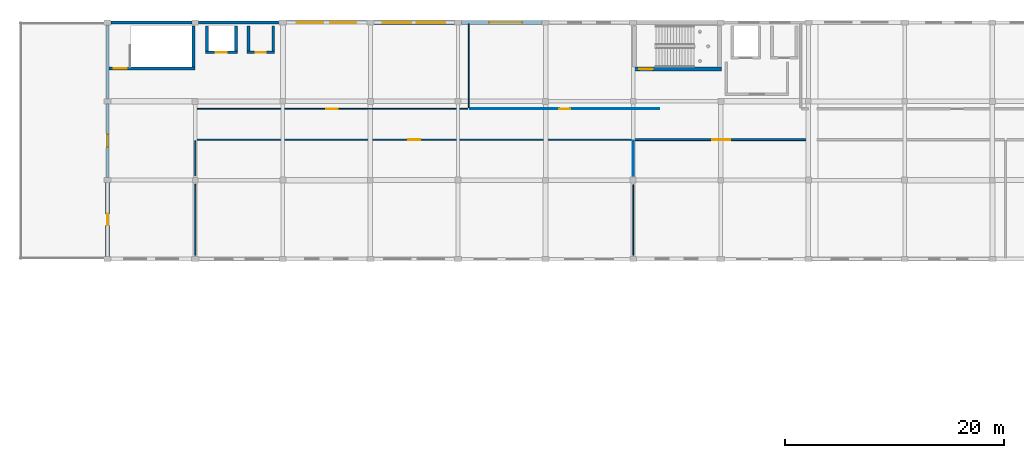
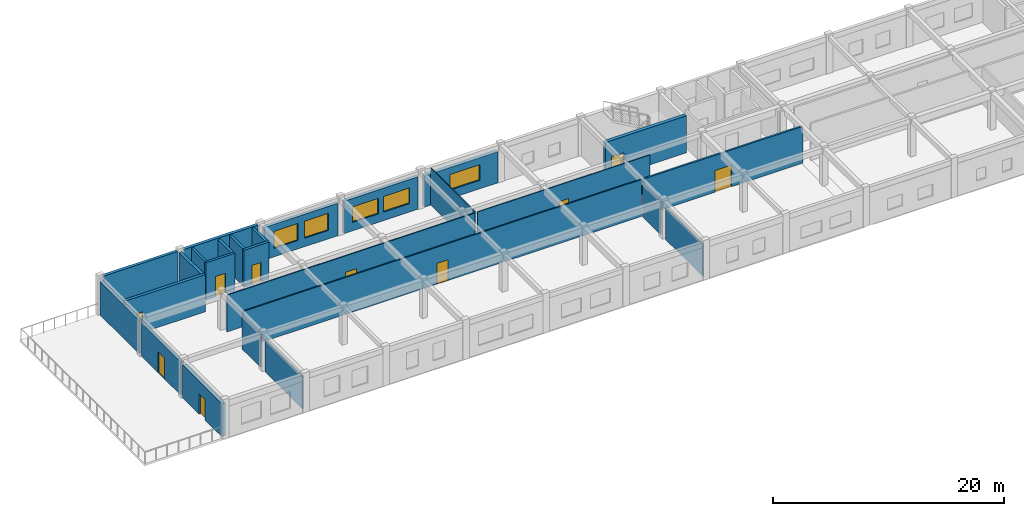
# One storey, part 12 of 19: 26 walls, 10 doors, 5 windows, 15 openings.
"""IFC4 building model written with IfcOpenShell, lengths in metres."""

from ifc_helpers import new_model, si_unit, direction, frame, frame_2d, origin, place, context, subcontext, project, spatial, rectangle, extrude, material, layer, layer_set, type_object, element, fill, save


model = new_model("IFC4")

# Units and contexts
model_context = context("Model", 3, precision=1e-05, world=origin(), true_north=direction((0.0, 1.0)))
body_context = subcontext(model_context, "Body", "Model", "MODEL_VIEW")
ifc_project = project(units=[si_unit("LENGTHUNIT", "METRE"), si_unit("AREAUNIT", "SQUARE_METRE"), si_unit("VOLUMEUNIT", "CUBIC_METRE"), si_unit("PLANEANGLEUNIT", "RADIAN"), si_unit("MASSUNIT", "GRAM", prefix="KILO")], contexts=[model_context])

# Site, building, storey
site_placement = place(None, origin())
site = spatial("IfcSite", under=ifc_project, at=site_placement, CompositionType="ELEMENT")
building_placement = place(site_placement, origin())
building = spatial("IfcBuilding", under=site, at=building_placement, Name="Kharva Crest Polytechnic", CompositionType="ELEMENT")
storey_placement = place(building_placement, frame((0.0, 0.0, 21.60009765625)))
storey = spatial("IfcBuildingStorey", under=building, at=storey_placement, Name="L05", CompositionType="ELEMENT", Elevation=21.60009765625)

# Wall, opening, door
ifc_material_1 = material(Name="Concrete C40/50", Category="concrete")
ifc_layer_1 = layer(ifc_material_1, 0.35009765625, Name="Concrete C40/50")
ifc_layer_set_1 = layer_set([ifc_layer_1], Name="Concrete C40/50")
wall_type_1 = type_object("IfcWallType", Name="WL-CORE-CW1-350", PredefinedType="SHEAR", material=ifc_layer_set_1)
wall_1_placement = place(storey_placement, frame((103.949951171875, 117.764892578125, 0.0), z_axis=(0.0, 0.0, 1.0), x_axis=(1.0, 0.0, 0.0)))
wall_1 = element("IfcWall", 1, at=wall_1_placement, inside=storey, type_object=wall_type_1, Name="L05 North Crest Firefighting Core C4 South Shear Wall", PredefinedType="SHEAR", context=body_context, shape_type="SweptSolid", body=[
    extrude(rectangle(XDim=8.10009765625, YDim=0.35009765625, at=frame_2d((4.050048828125, 0.0))), origin(), (0.0, 0.0, 1.0), 3.919921875),
])
opening_1_placement = place(wall_1_placement, frame((0.60009765625, 0.0, 0.0)))
opening_1 = element("IfcOpeningElement", 2, at=opening_1_placement, cuts=wall_1, Name="Opening FD1B", PredefinedType="OPENING", context=body_context, shape_type="SweptSolid", body=[
    extrude(rectangle(XDim=1.25, YDim=2.199951171875, at=frame_2d((0.625, 1.10009765625))), frame((0.0, 0.18505859375, 0.0), z_axis=(0.0, -1.0, 0.0), x_axis=(1.0, 0.0, 0.0)), (0.0, 0.0, 1.0), 0.3701171875),
])
ifc_material_2 = material(Name="Teak timber", Category="wood")
door_type_1 = type_object("IfcDoorType", Name="DR-STAIR-1250X2200", OperationType="NOTDEFINED", PredefinedType="DOOR", material=ifc_material_2)
door_1_placement = place(opening_1_placement, origin())
door_1 = element("IfcDoor", 3, at=door_1_placement, inside=storey, type_object=door_type_1, Name="L05 ST-04 Stair Door", OperationType="SINGLE_SWING_RIGHT", OverallHeight=2.199951171875, OverallWidth=1.25, PredefinedType="DOOR", context=body_context, shape_type="SweptSolid", body=[
    extrude(rectangle(XDim=1.25, YDim=2.199951171875, at=frame_2d((0.625, 1.10009765625))), frame((0.0, 0.02490234375, 0.0), z_axis=(0.0, -1.0, 0.0), x_axis=(1.0, 0.0, 0.0)), (0.0, 0.0, 1.0), 0.050048828125),
])
fill(opening_1, door_1)

ifc_layer_2 = layer(ifc_material_1, 0.300048828125, Name="Concrete C40/50")
ifc_layer_set_2 = layer_set([ifc_layer_2], Name="Concrete C40/50")
wall_type_2 = type_object("IfcWallType", Name="WL-CORE-CW2-300", PredefinedType="SHEAR", material=ifc_layer_set_2)
wall_2_placement = place(storey_placement, frame((56.0, 117.7900390625, 0.0), z_axis=(0.0, 0.0, 1.0), x_axis=(1.0, 0.0, 0.0)))
wall_2 = element("IfcWall", 4, at=wall_2_placement, inside=storey, type_object=wall_type_2, Name="L05 North-West Lab Core C3 South Shear Wall", PredefinedType="SHEAR", context=body_context, shape_type="SweptSolid", body=[
    extrude(rectangle(XDim=8.0, YDim=0.300048828125, at=frame_2d((4.0, 0.0))), origin(), (0.0, 0.0, 1.0), 3.919921875),
])
opening_2_placement = place(wall_2_placement, frame((0.550048828125, 0.0, 0.0)))
opening_2 = element("IfcOpeningElement", 5, at=opening_2_placement, cuts=wall_2, Name="Opening FD1", PredefinedType="OPENING", context=body_context, shape_type="SweptSolid", body=[
    extrude(rectangle(XDim=1.199951171875, YDim=2.199951171875, at=frame_2d((0.60009765625, 1.10009765625))), frame((0.0, 0.159912109375, 0.0), z_axis=(0.0, -1.0, 0.0), x_axis=(1.0, 0.0, 0.0)), (0.0, 0.0, 1.0), 0.320068359375),
])
door_type_2 = type_object("IfcDoorType", Name="DR-STAIR-1200X2200", OperationType="NOTDEFINED", PredefinedType="DOOR", material=ifc_material_2)
door_2_placement = place(opening_2_placement, origin())
door_2 = element("IfcDoor", 6, at=door_2_placement, inside=storey, type_object=door_type_2, Name="L05 ST-03 Stair Door", OperationType="SINGLE_SWING_LEFT", OverallHeight=2.199951171875, OverallWidth=1.199951171875, PredefinedType="DOOR", context=body_context, shape_type="SweptSolid", body=[
    extrude(rectangle(XDim=1.199951171875, YDim=2.199951171875, at=frame_2d((0.60009765625, 1.10009765625))), frame((0.0, 0.02490234375, 0.0), z_axis=(0.0, -1.0, 0.0), x_axis=(1.0, 0.0, 0.0)), (0.0, 0.0, 1.0), 0.050048828125),
])
fill(opening_2, door_2)

# Wall
wall_3_placement = place(storey_placement, frame((63.85009765625, 117.93994140625, 0.0), z_axis=(0.0, 0.0, 1.0), x_axis=(0.0, 1.0, 0.0)))
element("IfcWall", 7, at=wall_3_placement, inside=storey, type_object=wall_type_2, Name="L05 North-West Lab Core C3 East Shear Wall", PredefinedType="SHEAR", context=body_context, shape_type="SweptSolid", body=[
    extrude(rectangle(XDim=3.760009765625, YDim=0.300048828125, at=frame_2d((1.8798828125, 0.0))), origin(), (0.0, 0.0, 1.0), 3.919921875),
])

# Wall, opening, door
ifc_material_3 = material(Name="Kiln brick masonry", Category="masonry")
ifc_layer_3 = layer(ifc_material_3, 0.260009765625, Name="Kiln brick masonry")
ifc_layer_set_3 = layer_set([ifc_layer_3], Name="Kiln brick masonry")
wall_type_3 = type_object("IfcWallType", Name="WL-EXT-BRK-260", PredefinedType="SOLIDWALL", material=ifc_layer_set_3)
wall_4_placement = place(storey_placement, frame((56.0, 114.580078125, 0.0), z_axis=(0.0, 0.0, 1.0), x_axis=(0.0, -1.0, 0.0)))
wall_4 = element("IfcWall", 8, at=wall_4_placement, inside=storey, type_object=wall_type_3, Name="L05 Exterior Brick Wall 440", PredefinedType="SOLIDWALL", context=body_context, shape_type="SweptSolid", body=[
    extrude(rectangle(XDim=6.760009765625, YDim=0.260009765625, at=frame_2d((3.3798828125, 0.0))), origin(), (0.0, 0.0, 1.0), 3.52001953125),
])
opening_3_placement = place(wall_4_placement, frame((2.804931640625, 0.0, 0.0)))
opening_3 = element("IfcOpeningElement", 9, at=opening_3_placement, cuts=wall_4, Name="Opening ED9", PredefinedType="OPENING", context=body_context, shape_type="SweptSolid", body=[
    extrude(rectangle(XDim=1.14990234375, YDim=2.199951171875, at=frame_2d((0.574951171875, 1.10009765625))), frame((0.0, 0.139892578125, 0.0), z_axis=(0.0, -1.0, 0.0), x_axis=(1.0, 0.0, 0.0)), (0.0, 0.0, 1.0), 0.280029296875),
])
ifc_material_4 = material(Name="Anodised aluminium", Category="aluminium")
door_type_3 = type_object("IfcDoorType", Name="DR-EXT-TER-1150X2200", OperationType="NOTDEFINED", PredefinedType="DOOR", material=ifc_material_4)
door_3_placement = place(opening_3_placement, frame((1.14990234375, 0.0, 0.0), z_axis=(0.0, 0.0, 1.0), x_axis=(-1.0, 0.0, 0.0)))
door_3 = element("IfcDoor", 10, at=door_3_placement, inside=storey, type_object=door_type_3, Name="L05 TER_N_L05 Access Door 54", OperationType="SINGLE_SWING_RIGHT", OverallHeight=2.199951171875, OverallWidth=1.14990234375, PredefinedType="DOOR", context=body_context, shape_type="SweptSolid", body=[
    extrude(rectangle(XDim=1.14990234375, YDim=2.199951171875, at=frame_2d((0.574951171875, 1.10009765625))), frame((0.0, 0.02490234375, 0.0), z_axis=(0.0, -1.0, 0.0), x_axis=(1.0, 0.0, 0.0)), (0.0, 0.0, 1.0), 0.050048828125),
])
fill(opening_3, door_3)

# Walls
ifc_layer_4 = layer(ifc_material_3, 0.27490234375, Name="Kiln brick masonry")
ifc_layer_set_4 = layer_set([ifc_layer_4], Name="Kiln brick masonry")
wall_type_4 = type_object("IfcWallType", Name="WL-EXT-BRK-275", PredefinedType="SOLIDWALL", material=ifc_layer_set_4)
wall_5_placement = place(storey_placement, frame((56.0, 121.780029296875, 0.0), z_axis=(0.0, 0.0, 1.0), x_axis=(0.0, -1.0, 0.0)))
element("IfcWall", 11, at=wall_5_placement, inside=storey, type_object=wall_type_4, Name="L05 Exterior Brick Wall 439", PredefinedType="SOLIDWALL", context=body_context, shape_type="SweptSolid", body=[
    extrude(rectangle(XDim=6.760009765625, YDim=0.27490234375, at=frame_2d((3.3798828125, 0.0))), origin(), (0.0, 0.0, 1.0), 3.539794921875),
])
ifc_layer_5 = layer(ifc_material_3, 0.2900390625, Name="Kiln brick masonry")
ifc_layer_set_5 = layer_set([ifc_layer_5], Name="Kiln brick masonry")
wall_type_5 = type_object("IfcWallType", Name="WL-EXT-BRK-290", PredefinedType="SOLIDWALL", material=ifc_layer_set_5)
wall_6_placement = place(storey_placement, frame((63.695068359375, 122.0, 0.0), z_axis=(0.0, 0.0, 1.0), x_axis=(-1.0, 0.0, 0.0)))
element("IfcWall", 12, at=wall_6_placement, inside=storey, type_object=wall_type_5, Name="L05 Exterior Brick Wall 438", PredefinedType="SOLIDWALL", context=body_context, shape_type="SweptSolid", body=[
    extrude(rectangle(XDim=7.375, YDim=0.2900390625, at=frame_2d((3.6875, 0.0))), origin(), (0.0, 0.0, 1.0), 3.919921875),
])
ifc_layer_6 = layer(ifc_material_3, 0.304931640625, Name="Kiln brick masonry")
ifc_layer_set_6 = layer_set([ifc_layer_6], Name="Kiln brick masonry")
wall_type_6 = type_object("IfcWallType", Name="WL-EXT-BRK-305", PredefinedType="SOLIDWALL", material=ifc_layer_set_6)
wall_7_placement = place(storey_placement, frame((71.679931640625, 122.0, 0.0), z_axis=(0.0, 0.0, 1.0), x_axis=(-1.0, 0.0, 0.0)))
element("IfcWall", 13, at=wall_7_placement, inside=storey, type_object=wall_type_6, Name="L05 Exterior Brick Wall 437", PredefinedType="SOLIDWALL", context=body_context, shape_type="SweptSolid", body=[
    extrude(rectangle(XDim=7.375, YDim=0.304931640625, at=frame_2d((3.6875, 0.0))), origin(), (0.0, 0.0, 1.0), 3.919921875),
])

# Wall, openings, windows
ifc_layer_7 = layer(ifc_material_3, 0.320068359375, Name="Kiln brick masonry")
ifc_layer_set_7 = layer_set([ifc_layer_7], Name="Kiln brick masonry")
wall_type_7 = type_object("IfcWallType", Name="WL-EXT-BRK-320", PredefinedType="SOLIDWALL", material=ifc_layer_set_7)
wall_8_placement = place(storey_placement, frame((79.695068359375, 122.0, 0.0), z_axis=(0.0, 0.0, 1.0), x_axis=(-1.0, 0.0, 0.0)))
wall_8 = element("IfcWall", 14, at=wall_8_placement, inside=storey, type_object=wall_type_7, Name="L05 Exterior Brick Wall 436", PredefinedType="SOLIDWALL", context=body_context, shape_type="SweptSolid", body=[
    extrude(rectangle(XDim=7.375, YDim=0.320068359375, at=frame_2d((3.6875, 0.0))), origin(), (0.0, 0.0, 1.0), 3.429931640625),
])
opening_4_placement = place(wall_8_placement, frame((0.965087890625, 0.0, 0.89990234375)))
opening_4 = element("IfcOpeningElement", 15, at=opening_4_placement, cuts=wall_8, Name="Opening W02", PredefinedType="OPENING", context=body_context, shape_type="SweptSolid", body=[
    extrude(rectangle(XDim=2.39990234375, YDim=1.800048828125, at=frame_2d((1.199951171875, 0.89990234375))), frame((0.0, 0.169921875, 0.0), z_axis=(0.0, -1.0, 0.0), x_axis=(1.0, 0.0, 0.0)), (0.0, 0.0, 1.0), 0.340087890625),
])
opening_5_placement = place(wall_8_placement, frame((4.010009765625, 0.0, 0.89990234375)))
opening_5 = element("IfcOpeningElement", 16, at=opening_5_placement, cuts=wall_8, Name="Opening W02", PredefinedType="OPENING", context=body_context, shape_type="SweptSolid", body=[
    extrude(rectangle(XDim=2.39990234375, YDim=1.800048828125, at=frame_2d((1.199951171875, 0.89990234375))), frame((0.0, 0.169921875, 0.0), z_axis=(0.0, -1.0, 0.0), x_axis=(1.0, 0.0, 0.0)), (0.0, 0.0, 1.0), 0.340087890625),
])
window_type_1 = type_object("IfcWindowType", Name="WIN-ALU-2400X1800", PartitioningType="SINGLE_PANEL", PredefinedType="WINDOW", material=ifc_material_4)
window_1_placement = place(opening_4_placement, origin())
window_1 = element("IfcWindow", 17, at=window_1_placement, inside=storey, type_object=window_type_1, Name="L05 Exterior Window 620", OverallHeight=1.800048828125, OverallWidth=2.39990234375, PartitioningType="SINGLE_PANEL", PredefinedType="WINDOW", context=body_context, shape_type="SweptSolid", body=[
    extrude(rectangle(XDim=2.39990234375, YDim=1.800048828125, at=frame_2d((1.199951171875, 0.89990234375))), frame((0.0, 0.030029296875, 0.0), z_axis=(0.0, -1.0, 0.0), x_axis=(1.0, 0.0, 0.0)), (0.0, 0.0, 1.0), 0.06005859375),
])
fill(opening_4, window_1)
window_2_placement = place(opening_5_placement, origin())
window_2 = element("IfcWindow", 18, at=window_2_placement, inside=storey, type_object=window_type_1, Name="L05 Exterior Window 621", OverallHeight=1.800048828125, OverallWidth=2.39990234375, PartitioningType="SINGLE_PANEL", PredefinedType="WINDOW", context=body_context, shape_type="SweptSolid", body=[
    extrude(rectangle(XDim=2.39990234375, YDim=1.800048828125, at=frame_2d((1.199951171875, 0.89990234375))), frame((0.0, 0.030029296875, 0.0), z_axis=(0.0, -1.0, 0.0), x_axis=(1.0, 0.0, 0.0)), (0.0, 0.0, 1.0), 0.06005859375),
])
fill(opening_5, window_2)

ifc_layer_8 = layer(ifc_material_3, 0.3349609375, Name="Kiln brick masonry")
ifc_layer_set_8 = layer_set([ifc_layer_8], Name="Kiln brick masonry")
wall_type_8 = type_object("IfcWallType", Name="WL-EXT-BRK-335", PredefinedType="SOLIDWALL", material=ifc_layer_set_8)
wall_9_placement = place(storey_placement, frame((87.679931640625, 122.0, 0.0), z_axis=(0.0, 0.0, 1.0), x_axis=(-1.0, 0.0, 0.0)))
wall_9 = element("IfcWall", 19, at=wall_9_placement, inside=storey, type_object=wall_type_8, Name="L05 Exterior Brick Wall 435", PredefinedType="SOLIDWALL", context=body_context, shape_type="SweptSolid", body=[
    extrude(rectangle(XDim=7.375, YDim=0.3349609375, at=frame_2d((3.6875, 0.0))), origin(), (0.0, 0.0, 1.0), 3.429931640625),
])
opening_6_placement = place(wall_9_placement, frame((0.83203125, 0.0, 0.89990234375)))
opening_6 = element("IfcOpeningElement", 20, at=opening_6_placement, cuts=wall_9, Name="Opening W24", PredefinedType="OPENING", context=body_context, shape_type="SweptSolid", body=[
    extrude(rectangle(XDim=2.60009765625, YDim=1.64990234375, at=frame_2d((1.300048828125, 0.824951171875))), frame((0.0, 0.177490234375, 0.0), z_axis=(0.0, -1.0, 0.0), x_axis=(1.0, 0.0, 0.0)), (0.0, 0.0, 1.0), 0.35498046875),
])
opening_7_placement = place(wall_9_placement, frame((3.943115234375, 0.0, 0.89990234375)))
opening_7 = element("IfcOpeningElement", 21, at=opening_7_placement, cuts=wall_9, Name="Opening W24", PredefinedType="OPENING", context=body_context, shape_type="SweptSolid", body=[
    extrude(rectangle(XDim=2.60009765625, YDim=1.64990234375, at=frame_2d((1.300048828125, 0.824951171875))), frame((0.0, 0.177490234375, 0.0), z_axis=(0.0, -1.0, 0.0), x_axis=(1.0, 0.0, 0.0)), (0.0, 0.0, 1.0), 0.35498046875),
])
window_type_2 = type_object("IfcWindowType", Name="WIN-ALU-2600X1650", PartitioningType="SINGLE_PANEL", PredefinedType="WINDOW", material=ifc_material_4)
window_3_placement = place(opening_6_placement, origin())
window_3 = element("IfcWindow", 22, at=window_3_placement, inside=storey, type_object=window_type_2, Name="L05 Exterior Window 618", OverallHeight=1.64990234375, OverallWidth=2.60009765625, PartitioningType="SINGLE_PANEL", PredefinedType="WINDOW", context=body_context, shape_type="SweptSolid", body=[
    extrude(rectangle(XDim=2.60009765625, YDim=1.64990234375, at=frame_2d((1.300048828125, 0.824951171875))), frame((0.0, 0.030029296875, 0.0), z_axis=(0.0, -1.0, 0.0), x_axis=(1.0, 0.0, 0.0)), (0.0, 0.0, 1.0), 0.06005859375),
])
fill(opening_6, window_3)
window_4_placement = place(opening_7_placement, origin())
window_4 = element("IfcWindow", 23, at=window_4_placement, inside=storey, type_object=window_type_2, Name="L05 Exterior Window 619", OverallHeight=1.64990234375, OverallWidth=2.60009765625, PartitioningType="SINGLE_PANEL", PredefinedType="WINDOW", context=body_context, shape_type="SweptSolid", body=[
    extrude(rectangle(XDim=2.60009765625, YDim=1.64990234375, at=frame_2d((1.300048828125, 0.824951171875))), frame((0.0, 0.030029296875, 0.0), z_axis=(0.0, -1.0, 0.0), x_axis=(1.0, 0.0, 0.0)), (0.0, 0.0, 1.0), 0.06005859375),
])
fill(opening_7, window_4)

# Wall, opening, window
ifc_layer_9 = layer(ifc_material_3, 0.35009765625, Name="Kiln brick masonry")
ifc_layer_set_9 = layer_set([ifc_layer_9], Name="Kiln brick masonry")
wall_type_9 = type_object("IfcWallType", Name="WL-EXT-BRK-350", PredefinedType="SOLIDWALL", material=ifc_layer_set_9)
wall_10_placement = place(storey_placement, frame((95.695068359375, 122.0, 0.0), z_axis=(0.0, 0.0, 1.0), x_axis=(-1.0, 0.0, 0.0)))
wall_10 = element("IfcWall", 24, at=wall_10_placement, inside=storey, type_object=wall_type_9, Name="L05 Exterior Brick Wall 434", PredefinedType="SOLIDWALL", context=body_context, shape_type="SweptSolid", body=[
    extrude(rectangle(XDim=7.375, YDim=0.35009765625, at=frame_2d((3.6875, 0.0))), origin(), (0.0, 0.0, 1.0), 3.2998046875),
])
opening_8_placement = place(wall_10_placement, frame((1.842041015625, 0.0, 0.89990234375)))
opening_8 = element("IfcOpeningElement", 25, at=opening_8_placement, cuts=wall_10, Name="Opening W23", PredefinedType="OPENING", context=body_context, shape_type="SweptSolid", body=[
    extrude(rectangle(XDim=3.0, YDim=1.64990234375, at=frame_2d((1.5, 0.824951171875))), frame((0.0, 0.18505859375, 0.0), z_axis=(0.0, -1.0, 0.0), x_axis=(1.0, 0.0, 0.0)), (0.0, 0.0, 1.0), 0.3701171875),
])
window_type_3 = type_object("IfcWindowType", Name="WIN-ALU-3000X1650", PartitioningType="SINGLE_PANEL", PredefinedType="WINDOW", material=ifc_material_4)
window_5_placement = place(opening_8_placement, origin())
window_5 = element("IfcWindow", 26, at=window_5_placement, inside=storey, type_object=window_type_3, Name="L05 Exterior Window 617", OverallHeight=1.64990234375, OverallWidth=3.0, PartitioningType="SINGLE_PANEL", PredefinedType="WINDOW", context=body_context, shape_type="SweptSolid", body=[
    extrude(rectangle(XDim=3.0, YDim=1.64990234375, at=frame_2d((1.5, 0.824951171875))), frame((0.0, 0.030029296875, 0.0), z_axis=(0.0, -1.0, 0.0), x_axis=(1.0, 0.0, 0.0)), (0.0, 0.0, 1.0), 0.06005859375),
])
fill(opening_8, window_5)

# Wall, opening, door
ifc_layer_10 = layer(ifc_material_3, 0.3798828125, Name="Kiln brick masonry")
ifc_layer_set_10 = layer_set([ifc_layer_10], Name="Kiln brick masonry")
wall_type_10 = type_object("IfcWallType", Name="WL-EXT-BRK-380", PredefinedType="SOLIDWALL", material=ifc_layer_set_10)
wall_11_placement = place(storey_placement, frame((56.0, 107.3798828125, 0.0), z_axis=(0.0, 0.0, 1.0), x_axis=(0.0, -1.0, 0.0)))
wall_11 = element("IfcWall", 27, at=wall_11_placement, inside=storey, type_object=wall_type_10, Name="L05 Exterior Brick Wall 441", PredefinedType="SOLIDWALL", context=body_context, shape_type="SweptSolid", body=[
    extrude(rectangle(XDim=6.759765625, YDim=0.3798828125, at=frame_2d((3.3798828125, 0.0))), origin(), (0.0, 0.0, 1.0), 3.4599609375),
])
opening_9_placement = place(wall_11_placement, frame((2.85498046875, 0.0, 0.0)))
opening_9 = element("IfcOpeningElement", 28, at=opening_9_placement, cuts=wall_11, Name="Opening ED10", PredefinedType="OPENING", context=body_context, shape_type="SweptSolid", body=[
    extrude(rectangle(XDim=1.050048828125, YDim=2.14990234375, at=frame_2d((0.52490234375, 1.074951171875))), frame((0.0, 0.199951171875, 0.0), z_axis=(0.0, -1.0, 0.0), x_axis=(1.0, 0.0, 0.0)), (0.0, 0.0, 1.0), 0.39990234375),
])
door_type_4 = type_object("IfcDoorType", Name="DR-EXT-TER-1050X2150", OperationType="NOTDEFINED", PredefinedType="DOOR", material=ifc_material_4)
door_4_placement = place(opening_9_placement, frame((1.050048828125, 0.0, 0.0), z_axis=(0.0, 0.0, 1.0), x_axis=(-1.0, 0.0, 0.0)))
door_4 = element("IfcDoor", 29, at=door_4_placement, inside=storey, type_object=door_type_4, Name="L05 TER_N_L05 Access Door 55", OperationType="SINGLE_SWING_LEFT", OverallHeight=2.14990234375, OverallWidth=1.050048828125, PredefinedType="DOOR", context=body_context, shape_type="SweptSolid", body=[
    extrude(rectangle(XDim=1.050048828125, YDim=2.14990234375, at=frame_2d((0.52490234375, 1.074951171875))), frame((0.0, 0.02490234375, 0.0), z_axis=(0.0, -1.0, 0.0), x_axis=(1.0, 0.0, 0.0)), (0.0, 0.0, 1.0), 0.050048828125),
])
fill(opening_9, door_4)

# Wall
ifc_layer_11 = layer(ifc_material_3, 0.090087890625, Name="Kiln brick masonry")
ifc_layer_set_11 = layer_set([ifc_layer_11], Name="Kiln brick masonry")
wall_type_11 = type_object("IfcWallType", Name="WL-PART-090", PredefinedType="PARTITIONING", material=ifc_layer_set_11)
wall_12_placement = place(storey_placement, frame((104.0, 108.0048828125, 0.0), z_axis=(0.0, 0.0, 1.0), x_axis=(0.0, 1.0, 0.0)))
element("IfcWall", 30, at=wall_12_placement, inside=storey, type_object=wall_type_11, Name="L05 Interior Partition 369", PredefinedType="PARTITIONING", context=body_context, shape_type="SweptSolid", body=[
    extrude(rectangle(XDim=3.175048828125, YDim=0.090087890625, at=frame_2d((1.58740234375, 0.0))), origin(), (0.0, 0.0, 1.0), 3.4599609375),
])

# Wall, opening, door
wall_13_placement = place(storey_placement, frame((89.1201171875, 114.110107421875, 0.0), z_axis=(0.0, 0.0, 1.0), x_axis=(1.0, 0.0, 0.0)))
wall_13 = element("IfcWall", 31, at=wall_13_placement, inside=storey, type_object=wall_type_11, Name="L05 Interior Partition 379", PredefinedType="PARTITIONING", context=body_context, shape_type="SweptSolid", body=[
    extrude(rectangle(XDim=17.259765625, YDim=0.090087890625, at=frame_2d((8.6298828125, 0.0))), origin(), (0.0, 0.0, 1.0), 3.89990234375),
])
opening_10_placement = place(wall_13_placement, frame((8.14990234375, 0.0, 0.0)))
opening_10 = element("IfcOpeningElement", 32, at=opening_10_placement, cuts=wall_13, Name="Opening ID13", PredefinedType="OPENING", context=body_context, shape_type="SweptSolid", body=[
    extrude(rectangle(XDim=0.9599609375, YDim=2.14990234375, at=frame_2d((0.47998046875, 1.074951171875))), frame((0.0, 0.054931640625, 0.0), z_axis=(0.0, -1.0, 0.0), x_axis=(1.0, 0.0, 0.0)), (0.0, 0.0, 1.0), 0.110107421875),
])
door_type_5 = type_object("IfcDoorType", Name="DR-OFF-960X2150", OperationType="NOTDEFINED", PredefinedType="DOOR", material=ifc_material_2)
door_5_placement = place(opening_10_placement, origin())
door_5 = element("IfcDoor", 33, at=door_5_placement, inside=storey, type_object=door_type_5, Name="L05 Faculty Office L05-A Door", OperationType="SINGLE_SWING_LEFT", OverallHeight=2.14990234375, OverallWidth=0.9599609375, PredefinedType="DOOR", context=body_context, shape_type="SweptSolid", body=[
    extrude(rectangle(XDim=0.9599609375, YDim=2.14990234375, at=frame_2d((0.47998046875, 1.074951171875))), frame((0.0, 0.02490234375, 0.0), z_axis=(0.0, -1.0, 0.0), x_axis=(1.0, 0.0, 0.0)), (0.0, 0.0, 1.0), 0.050048828125),
])
fill(opening_10, door_5)

# Walls
ifc_layer_12 = layer(ifc_material_3, 0.10009765625, Name="Kiln brick masonry")
ifc_layer_set_12 = layer_set([ifc_layer_12], Name="Kiln brick masonry")
wall_type_12 = type_object("IfcWallType", Name="WL-PART-100", PredefinedType="PARTITIONING", material=ifc_layer_set_12)
wall_14_placement = place(storey_placement, frame((104.0, 100.7548828125, 0.0), z_axis=(0.0, 0.0, 1.0), x_axis=(0.0, 1.0, 0.0)))
element("IfcWall", 34, at=wall_14_placement, inside=storey, type_object=wall_type_12, Name="L05 Interior Partition 368", PredefinedType="PARTITIONING", context=body_context, shape_type="SweptSolid", body=[
    extrude(rectangle(XDim=6.440185546875, YDim=0.10009765625, at=frame_2d((3.22021484375, 0.0))), origin(), (0.0, 0.0, 1.0), 3.39990234375),
])
wall_15_placement = place(storey_placement, frame((89.0, 114.219970703125, 0.0), z_axis=(0.0, 0.0, 1.0), x_axis=(0.0, 1.0, 0.0)))
element("IfcWall", 35, at=wall_15_placement, inside=storey, type_object=wall_type_12, Name="L05 Interior Partition 378", PredefinedType="PARTITIONING", context=body_context, shape_type="SweptSolid", body=[
    extrude(rectangle(XDim=7.669921875, YDim=0.10009765625, at=frame_2d((3.8349609375, 0.0))), origin(), (0.0, 0.0, 1.0), 3.89990234375),
])
ifc_layer_13 = layer(ifc_material_3, 0.110107421875, Name="Kiln brick masonry")
ifc_layer_set_13 = layer_set([ifc_layer_13], Name="Kiln brick masonry")
wall_type_13 = type_object("IfcWallType", Name="WL-PART-110", PredefinedType="PARTITIONING", material=ifc_layer_set_13)
wall_16_placement = place(storey_placement, frame((64.0, 107.989990234375, 0.0), z_axis=(0.0, 0.0, 1.0), x_axis=(0.0, 1.0, 0.0)))
element("IfcWall", 36, at=wall_16_placement, inside=storey, type_object=wall_type_13, Name="L05 Interior Partition 367", PredefinedType="PARTITIONING", context=body_context, shape_type="SweptSolid", body=[
    extrude(rectangle(XDim=3.18994140625, YDim=0.110107421875, at=frame_2d((1.594970703125, 0.0))), origin(), (0.0, 0.0, 1.0), 3.4599609375),
])

# Wall, opening, door
wall_17_placement = place(storey_placement, frame((64.110107421875, 114.110107421875, 0.0), z_axis=(0.0, 0.0, 1.0), x_axis=(1.0, 0.0, 0.0)))
wall_17 = element("IfcWall", 37, at=wall_17_placement, inside=storey, type_object=wall_type_13, Name="L05 Interior Partition 377", PredefinedType="PARTITIONING", context=body_context, shape_type="SweptSolid", body=[
    extrude(rectangle(XDim=24.77978515625, YDim=0.110107421875, at=frame_2d((12.389892578125, 0.0))), origin(), (0.0, 0.0, 1.0), 3.89990234375),
])
opening_11_placement = place(wall_17_placement, frame((11.85009765625, 0.0, 0.0)))
opening_11 = element("IfcOpeningElement", 38, at=opening_11_placement, cuts=wall_17, Name="Opening ID10", PredefinedType="OPENING", context=body_context, shape_type="SweptSolid", body=[
    extrude(rectangle(XDim=1.080078125, YDim=2.14990234375, at=frame_2d((0.5400390625, 1.074951171875))), frame((0.0, 0.06494140625, 0.0), z_axis=(0.0, -1.0, 0.0), x_axis=(1.0, 0.0, 0.0)), (0.0, 0.0, 1.0), 0.130126953125),
])
door_type_6 = type_object("IfcDoorType", Name="DR-CLS-1080X2150", OperationType="NOTDEFINED", PredefinedType="DOOR", material=ifc_material_2)
door_6_placement = place(opening_11_placement, origin())
door_6 = element("IfcDoor", 39, at=door_6_placement, inside=storey, type_object=door_type_6, Name="L05 Critique Seminar Room L05-A Door", OperationType="SINGLE_SWING_RIGHT", OverallHeight=2.14990234375, OverallWidth=1.080078125, PredefinedType="DOOR", context=body_context, shape_type="SweptSolid", body=[
    extrude(rectangle(XDim=1.080078125, YDim=2.14990234375, at=frame_2d((0.5400390625, 1.074951171875))), frame((0.0, 0.02490234375, 0.0), z_axis=(0.0, -1.0, 0.0), x_axis=(1.0, 0.0, 0.0)), (0.0, 0.0, 1.0), 0.050048828125),
])
fill(opening_11, door_6)

# Wall
ifc_layer_14 = layer(ifc_material_3, 0.1201171875, Name="Kiln brick masonry")
ifc_layer_set_14 = layer_set([ifc_layer_14], Name="Kiln brick masonry")
wall_type_14 = type_object("IfcWallType", Name="WL-PART-120", PredefinedType="PARTITIONING", material=ifc_layer_set_14)
wall_18_placement = place(storey_placement, frame((64.0, 100.7548828125, 0.0), z_axis=(0.0, 0.0, 1.0), x_axis=(0.0, 1.0, 0.0)))
element("IfcWall", 40, at=wall_18_placement, inside=storey, type_object=wall_type_14, Name="L05 Interior Partition 366", PredefinedType="PARTITIONING", context=body_context, shape_type="SweptSolid", body=[
    extrude(rectangle(XDim=6.455078125, YDim=0.1201171875, at=frame_2d((3.2275390625, 0.0))), origin(), (0.0, 0.0, 1.0), 3.39990234375),
])

# Wall, opening, door
ifc_layer_15 = layer(ifc_material_3, 0.1298828125, Name="Kiln brick masonry")
ifc_layer_set_15 = layer_set([ifc_layer_15], Name="Kiln brick masonry")
wall_type_15 = type_object("IfcWallType", Name="WL-PART-130", PredefinedType="PARTITIONING", material=ifc_layer_set_15)
wall_19_placement = place(storey_placement, frame((64.110107421875, 111.2900390625, 0.0), z_axis=(0.0, 0.0, 1.0), x_axis=(1.0, 0.0, 0.0)))
wall_19 = element("IfcWall", 41, at=wall_19_placement, inside=storey, type_object=wall_type_15, Name="L05 Interior Partition 365", PredefinedType="PARTITIONING", context=body_context, shape_type="SweptSolid", body=[
    extrude(rectangle(XDim=39.77978515625, YDim=0.1298828125, at=frame_2d((19.889892578125, 0.0))), origin(), (0.0, 0.0, 1.0), 3.89990234375),
])
opening_12_placement = place(wall_19_placement, frame((19.330078125, 0.0, 0.0)))
opening_12 = element("IfcOpeningElement", 42, at=opening_12_placement, cuts=wall_19, Name="Opening ID9", PredefinedType="OPENING", context=body_context, shape_type="SweptSolid", body=[
    extrude(rectangle(XDim=1.1201171875, YDim=2.199951171875, at=frame_2d((0.56005859375, 1.10009765625))), frame((0.0, 0.074951171875, 0.0), z_axis=(0.0, -1.0, 0.0), x_axis=(1.0, 0.0, 0.0)), (0.0, 0.0, 1.0), 0.14990234375),
])
door_type_7 = type_object("IfcDoorType", Name="DR-STD-1120X2200", OperationType="NOTDEFINED", PredefinedType="DOOR", material=ifc_material_2)
door_7_placement = place(opening_12_placement, origin())
door_7 = element("IfcDoor", 43, at=door_7_placement, inside=storey, type_object=door_type_7, Name="L05 Fine Arts and Sculpture Design Studio Door", OperationType="SINGLE_SWING_RIGHT", OverallHeight=2.199951171875, OverallWidth=1.1201171875, PredefinedType="DOOR", context=body_context, shape_type="SweptSolid", body=[
    extrude(rectangle(XDim=1.1201171875, YDim=2.199951171875, at=frame_2d((0.56005859375, 1.10009765625))), frame((0.0, 0.02490234375, 0.0), z_axis=(0.0, -1.0, 0.0), x_axis=(1.0, 0.0, 0.0)), (0.0, 0.0, 1.0), 0.050048828125),
])
fill(opening_12, door_7)

ifc_layer_16 = layer(ifc_material_3, 0.179931640625, Name="Kiln brick masonry")
ifc_layer_set_16 = layer_set([ifc_layer_16], Name="Kiln brick masonry")
wall_type_16 = type_object("IfcWallType", Name="WL-PART-180", PredefinedType="PARTITIONING", material=ifc_layer_set_16)
wall_20_placement = place(storey_placement, frame((104.1201171875, 111.2900390625, 0.0), z_axis=(0.0, 0.0, 1.0), x_axis=(1.0, 0.0, 0.0)))
wall_20 = element("IfcWall", 44, at=wall_20_placement, inside=storey, type_object=wall_type_16, Name="L05 Interior Partition 370 W", PredefinedType="PARTITIONING", context=body_context, shape_type="SweptSolid", body=[
    extrude(rectangle(XDim=15.8798828125, YDim=0.179931640625, at=frame_2d((7.93994140625, 0.0))), origin(), (0.0, 0.0, 1.0), 3.89990234375),
])
opening_13_placement = place(wall_20_placement, frame((7.114990234375, 0.0, 0.0)))
opening_13 = element("IfcOpeningElement", 45, at=opening_13_placement, cuts=wall_20, Name="Opening ID3", PredefinedType="OPENING", context=body_context, shape_type="SweptSolid", body=[
    extrude(rectangle(XDim=1.64990234375, YDim=2.300048828125, at=frame_2d((0.824951171875, 1.14990234375))), frame((0.0, 0.099853515625, 0.0), z_axis=(0.0, -1.0, 0.0), x_axis=(1.0, 0.0, 0.0)), (0.0, 0.0, 1.0), 0.199951171875),
])
door_type_8 = type_object("IfcDoorType", Name="DR-WKSHP-DBL-1650X2300", OperationType="NOTDEFINED", PredefinedType="DOOR", material=ifc_material_2)
door_8_placement = place(opening_13_placement, origin())
door_8 = element("IfcDoor", 46, at=door_8_placement, inside=storey, type_object=door_type_8, Name="L05 Architectural Modelmaking Workshop Door", OperationType="DOUBLE_DOOR_SINGLE_SWING", OverallHeight=2.300048828125, OverallWidth=1.64990234375, PredefinedType="DOOR", context=body_context, shape_type="SweptSolid", body=[
    extrude(rectangle(XDim=1.64990234375, YDim=2.300048828125, at=frame_2d((0.824951171875, 1.14990234375))), frame((0.0, 0.02490234375, 0.0), z_axis=(0.0, -1.0, 0.0), x_axis=(1.0, 0.0, 0.0)), (0.0, 0.0, 1.0), 0.050048828125),
])
fill(opening_13, door_8)

ifc_layer_17 = layer(ifc_material_1, 0.25, Name="Concrete C40/50")
ifc_layer_set_17 = layer_set([ifc_layer_17], Name="Concrete C40/50")
wall_type_17 = type_object("IfcWallType", Name="WL-SHEAR-SW1-250", PredefinedType="SHEAR", material=ifc_layer_set_17)
wall_21_placement = place(storey_placement, frame((64.949951171875, 119.27490234375, 0.0), z_axis=(0.0, 0.0, 1.0), x_axis=(1.0, 0.0, 0.0)))
wall_21 = element("IfcWall", 47, at=wall_21_placement, inside=storey, type_object=wall_type_17, Name="L05 Lift PL3 South Shaft Wall", PredefinedType="SHEAR", context=body_context, shape_type="SweptSolid", body=[
    extrude(rectangle(XDim=2.900146484375, YDim=0.25, at=frame_2d((1.4501953125, 0.0))), origin(), (0.0, 0.0, 1.0), 3.919921875),
])
opening_14_placement = place(wall_21_placement, frame((0.949951171875, 0.0, 0.0)))
opening_14 = element("IfcOpeningElement", 48, at=opening_14_placement, cuts=wall_21, Name="Opening LD2", PredefinedType="OPENING", context=body_context, shape_type="SweptSolid", body=[
    extrude(rectangle(XDim=1.0, YDim=2.14990234375, at=frame_2d((0.5, 1.074951171875))), frame((0.0, 0.135009765625, 0.0), z_axis=(0.0, -1.0, 0.0), x_axis=(1.0, 0.0, 0.0)), (0.0, 0.0, 1.0), 0.27001953125),
])
door_type_9 = type_object("IfcDoorType", Name="DR-LIFT-LD2-1000X2150", OperationType="SLIDING_TO_LEFT", PredefinedType="DOOR", material=ifc_material_4)
door_9_placement = place(opening_14_placement, origin())
door_9 = element("IfcDoor", 49, at=door_9_placement, inside=storey, type_object=door_type_9, Name="L05 Lift PL3 Sliding Landing Door", OperationType="SLIDING_TO_LEFT", OverallHeight=2.14990234375, OverallWidth=1.0, PredefinedType="DOOR", context=body_context, shape_type="SweptSolid", body=[
    extrude(rectangle(XDim=1.0, YDim=2.14990234375, at=frame_2d((0.5, 1.074951171875))), frame((0.0, 0.02490234375, 0.0), z_axis=(0.0, -1.0, 0.0), x_axis=(1.0, 0.0, 0.0)), (0.0, 0.0, 1.0), 0.050048828125),
])
fill(opening_14, door_9)

# Walls
for number, where, z_axis, x_axis, name in (
    (50, (65.074951171875, 119.39990234375, 0.0), (0.0, 0.0, 1.0), (0.0, 1.0, 0.0), "L05 Lift PL3 West Shaft Wall"),
    (51, (67.72509765625, 119.39990234375, 0.0), (0.0, 0.0, 1.0), (0.0, 1.0, 0.0), "L05 Lift PL3 East Shaft Wall"),
):
    element("IfcWall", number, at=place(storey_placement, frame(where, z_axis=z_axis, x_axis=x_axis)), inside=storey, type_object=wall_type_17, Name=name, PredefinedType="SHEAR", context=body_context, shape_type="SweptSolid", body=[
        extrude(rectangle(XDim=2.300048828125, YDim=0.25, at=frame_2d((1.14990234375, 0.0))), origin(), (0.0, 0.0, 1.0), 3.919921875),
    ])

# Wall, opening, door
wall_22_placement = place(storey_placement, frame((68.75, 119.27490234375, 0.0), z_axis=(0.0, 0.0, 1.0), x_axis=(1.0, 0.0, 0.0)))
wall_22 = element("IfcWall", 52, at=wall_22_placement, inside=storey, type_object=wall_type_17, Name="L05 Core C3 Riser South Wall", PredefinedType="SHEAR", context=body_context, shape_type="SweptSolid", body=[
    extrude(rectangle(XDim=2.5, YDim=0.25, at=frame_2d((1.25, 0.0))), origin(), (0.0, 0.0, 1.0), 3.919921875),
])
opening_15_placement = place(wall_22_placement, frame((0.800048828125, 0.0, 0.0)))
opening_15 = element("IfcOpeningElement", 53, at=opening_15_placement, cuts=wall_22, Name="Opening FD3", PredefinedType="OPENING", context=body_context, shape_type="SweptSolid", body=[
    extrude(rectangle(XDim=0.89990234375, YDim=2.050048828125, at=frame_2d((0.449951171875, 1.02490234375))), frame((0.0, 0.135009765625, 0.0), z_axis=(0.0, -1.0, 0.0), x_axis=(1.0, 0.0, 0.0)), (0.0, 0.0, 1.0), 0.27001953125),
])
door_type_10 = type_object("IfcDoorType", Name="DR-RISER-900X2050", OperationType="NOTDEFINED", PredefinedType="DOOR", material=ifc_material_4)
door_10_placement = place(opening_15_placement, origin())
door_10 = element("IfcDoor", 54, at=door_10_placement, inside=storey, type_object=door_type_10, Name="L05 Core C3 Riser Access Door", OperationType="SINGLE_SWING_RIGHT", OverallHeight=2.050048828125, OverallWidth=0.89990234375, PredefinedType="DOOR", context=body_context, shape_type="SweptSolid", body=[
    extrude(rectangle(XDim=0.89990234375, YDim=2.050048828125, at=frame_2d((0.449951171875, 1.02490234375))), frame((0.0, 0.02490234375, 0.0), z_axis=(0.0, -1.0, 0.0), x_axis=(1.0, 0.0, 0.0)), (0.0, 0.0, 1.0), 0.050048828125),
])
fill(opening_15, door_10)

# Walls
for number, where, z_axis, x_axis, name in (
    (55, (68.875, 119.39990234375, 0.0), (0.0, 0.0, 1.0), (0.0, 1.0, 0.0), "L05 Core C3 Riser West Wall"),
    (56, (71.125, 119.39990234375, 0.0), (0.0, 0.0, 1.0), (0.0, 1.0, 0.0), "L05 Core C3 Riser East Wall"),
):
    element("IfcWall", number, at=place(storey_placement, frame(where, z_axis=z_axis, x_axis=x_axis)), inside=storey, type_object=wall_type_17, Name=name, PredefinedType="SHEAR", context=body_context, shape_type="SweptSolid", body=[
        extrude(rectangle(XDim=2.300048828125, YDim=0.25, at=frame_2d((1.14990234375, 0.0))), origin(), (0.0, 0.0, 1.0), 3.919921875),
    ])

save(model, "model.ifc")
